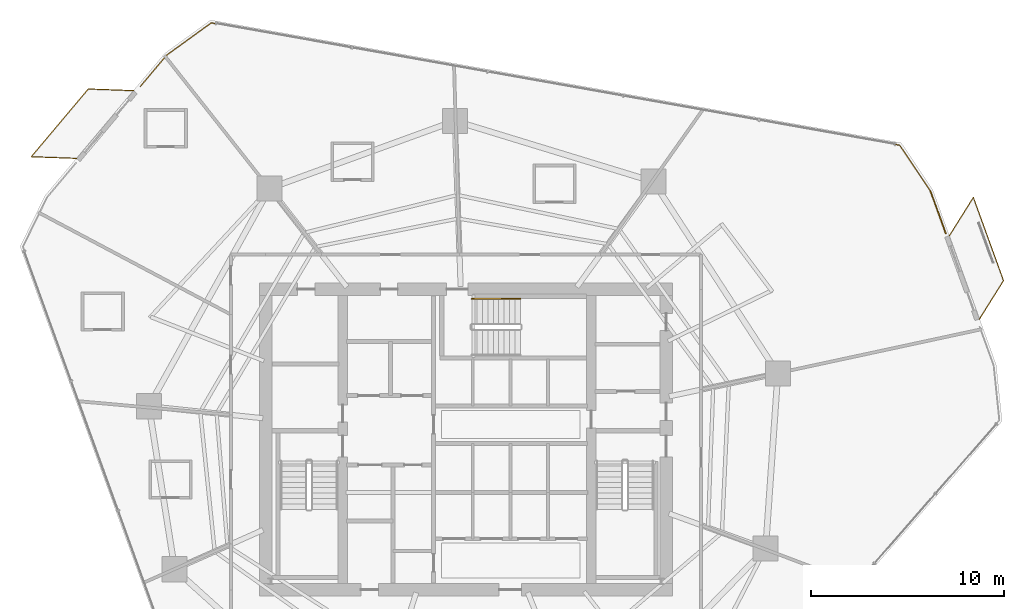
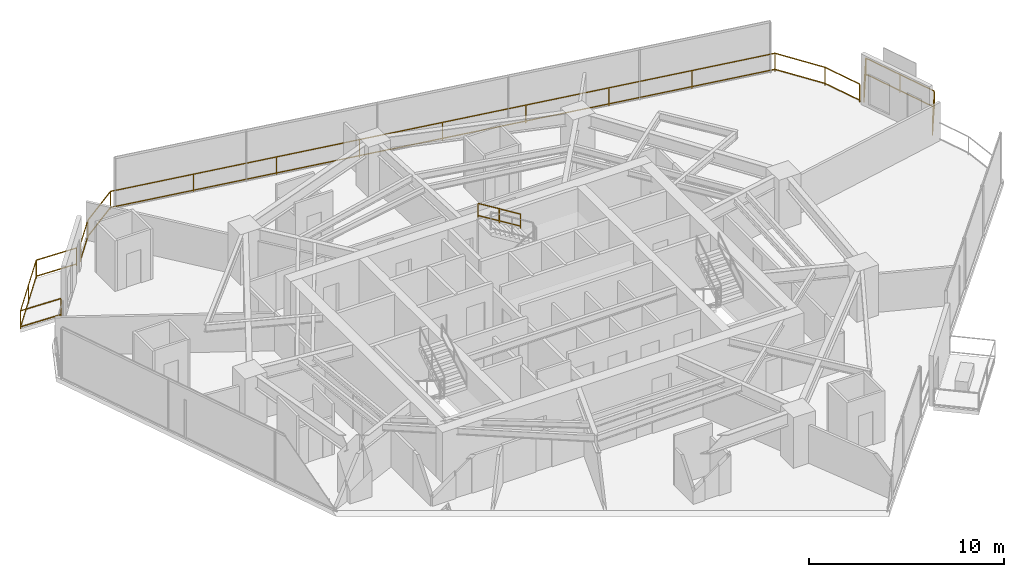
# One storey, part 33 of 33: 5 railings.
"""IFC4 building model written with IfcOpenShell, lengths in metres."""

from ifc_helpers import new_model, si_unit, direction, frame, origin, origin_2d, place, context, subcontext, project, spatial, rectangle, extrude, material, type_object, element, save


model = new_model("IFC4")

# Units and contexts
model_context = context("Model", 3, precision=1e-05, world=origin(), true_north=direction((0.0, 1.0)))
body_context = subcontext(model_context, "Body", "Model", "MODEL_VIEW")
ifc_project = project(units=[si_unit("LENGTHUNIT", "METRE"), si_unit("AREAUNIT", "SQUARE_METRE"), si_unit("VOLUMEUNIT", "CUBIC_METRE"), si_unit("PLANEANGLEUNIT", "RADIAN"), si_unit("MASSUNIT", "GRAM", prefix="KILO")], contexts=[model_context])

# Site, building, storey
site_placement = place(None, origin())
site = spatial("IfcSite", under=ifc_project, at=site_placement, CompositionType="ELEMENT")
building_placement = place(site_placement, origin())
building = spatial("IfcBuilding", under=site, at=building_placement, Name="Qarnah Convention Tower", CompositionType="ELEMENT")
storey_placement = place(building_placement, frame((0.0, 0.0, 30.449951171875)))
storey = spatial("IfcBuildingStorey", under=building, at=storey_placement, Name="L06", CompositionType="ELEMENT", Elevation=30.449951171875)

# Railings
ifc_material_1 = material(Name="Black anodised aluminium", Category="aluminium")
railing_type_1 = type_object("IfcRailingType", Name="RL-EXT-GUARD-1150", PredefinedType="GUARDRAIL", material=ifc_material_1)
railing_1_placement = place(storey_placement, frame((61.303955078125, 39.306884765625, 0.0)))
element("IfcRailing", 1, at=railing_1_placement, inside=storey, type_object=railing_type_1, Name="L06 slab-edge perimeter safety guard 01", PredefinedType="GUARDRAIL", context=body_context, shape_type="SweptSolid", body=[
    extrude(rectangle(XDim=0.048095703125, YDim=0.048095703125, at=origin_2d()), frame((0.0, 0.0, 1.1259765625), z_axis=(0.340864907499, -0.940112288419, 0.0), x_axis=(0.940112288419, 0.340864907499, 0.0)), (0.0, 0.0, 1.0), 2.34423828125),
    extrude(rectangle(XDim=0.048095703125, YDim=0.048095703125, at=origin_2d()), frame((0.0, 0.0, 0.1201171875), z_axis=(0.340864907499, -0.940112288419, 0.0), x_axis=(0.940112288419, 0.340864907499, 0.0)), (0.0, 0.0, 1.0), 2.34423828125),
    extrude(rectangle(XDim=0.0419921875, YDim=0.0419921875, at=origin_2d()), origin(), (0.0, 0.0, 1.0), 1.101806640625),
    extrude(rectangle(XDim=0.0419921875, YDim=0.0419921875, at=origin_2d()), frame((0.799072265625, -2.203857421875, 0.0)), (0.0, 0.0, 1.0), 1.101806640625),
])
railing_2_placement = place(storey_placement, frame((20.2900390625, 44.720947265625, 0.0)))
element("IfcRailing", 2, at=railing_2_placement, inside=storey, type_object=railing_type_1, Name="L06 slab-edge perimeter safety guard 03", PredefinedType="GUARDRAIL", context=body_context, shape_type="SweptSolid", body=[
    extrude(rectangle(XDim=0.048095703125, YDim=0.048095703125, at=origin_2d()), frame((0.0, 0.0, 1.1259765625), z_axis=(0.643543568342, 0.765409482333, 0.0), x_axis=(-0.765409482333, 0.643543568342, 0.0)), (0.0, 0.0, 1.0), 2.133544921875),
    extrude(rectangle(XDim=0.048095703125, YDim=0.048095703125, at=origin_2d()), frame((0.0, 0.0, 0.1201171875), z_axis=(0.643543568342, 0.765409482333, 0.0), x_axis=(-0.765409482333, 0.643543568342, 0.0)), (0.0, 0.0, 1.0), 2.133544921875),
    extrude(rectangle(XDim=0.048095703125, YDim=0.048095703125, at=origin_2d()), frame((1.373046875, 1.633056640625, 1.1259765625), z_axis=(0.809949114684, 0.586500154835, 0.0), x_axis=(-0.586500154835, 0.809949114684, 0.0)), (0.0, 0.0, 1.0), 2.859375),
    extrude(rectangle(XDim=0.048095703125, YDim=0.048095703125, at=origin_2d()), frame((1.373046875, 1.633056640625, 0.1201171875), z_axis=(0.809949114684, 0.586500154835, 0.0), x_axis=(-0.586500154835, 0.809949114684, 0.0)), (0.0, 0.0, 1.0), 2.859375),
    extrude(rectangle(XDim=0.048095703125, YDim=0.048095703125, at=origin_2d()), frame((3.68896484375, 3.31005859375, 1.1259765625), z_axis=(0.984566887264, -0.175008698362, 0.0), x_axis=(0.175008698362, 0.984566887264, 0.0)), (0.0, 0.0, 1.0), 36.2900390625),
    extrude(rectangle(XDim=0.048095703125, YDim=0.048095703125, at=origin_2d()), frame((3.68896484375, 3.31005859375, 0.1201171875), z_axis=(0.984566887264, -0.175008698362, 0.0), x_axis=(0.175008698362, 0.984566887264, 0.0)), (0.0, 0.0, 1.0), 36.2900390625),
    extrude(rectangle(XDim=0.048095703125, YDim=0.048095703125, at=origin_2d()), frame((39.4189453125, -3.041015625, 1.1259765625), z_axis=(0.557829287526, -0.829955713263, 0.0), x_axis=(0.829955713263, 0.557829287526, 0.0)), (0.0, 0.0, 1.0), 2.859130859375),
    extrude(rectangle(XDim=0.048095703125, YDim=0.048095703125, at=origin_2d()), frame((39.4189453125, -3.041015625, 0.1201171875), z_axis=(0.557829287526, -0.829955713263, 0.0), x_axis=(0.829955713263, 0.557829287526, 0.0)), (0.0, 0.0, 1.0), 2.859130859375),
    extrude(rectangle(XDim=0.0419921875, YDim=0.0419921875, at=origin_2d()), origin(), (0.0, 0.0, 1.0), 1.101806640625),
    extrude(rectangle(XDim=0.0419921875, YDim=0.0419921875, at=origin_2d()), frame((1.373046875, 1.633056640625, 0.0)), (0.0, 0.0, 1.0), 1.101806640625),
    extrude(rectangle(XDim=0.0419921875, YDim=0.0419921875, at=origin_2d()), frame((3.68896484375, 3.31005859375, 0.0)), (0.0, 0.0, 1.0), 1.101806640625),
    extrude(rectangle(XDim=0.0419921875, YDim=0.0419921875, at=origin_2d()), frame((8.1552734375, 2.51611328125, 0.0)), (0.0, 0.0, 1.0), 1.101806640625),
    extrude(rectangle(XDim=0.0419921875, YDim=0.0419921875, at=origin_2d()), frame((12.62158203125, 1.72216796875, 0.0)), (0.0, 0.0, 1.0), 1.101806640625),
    extrude(rectangle(XDim=0.0419921875, YDim=0.0419921875, at=origin_2d()), frame((17.087646484375, 0.928466796875, 0.0)), (0.0, 0.0, 1.0), 1.101806640625),
    extrude(rectangle(XDim=0.0419921875, YDim=0.0419921875, at=origin_2d()), frame((21.553955078125, 0.134521484375, 0.0)), (0.0, 0.0, 1.0), 1.101806640625),
    extrude(rectangle(XDim=0.0419921875, YDim=0.0419921875, at=origin_2d()), frame((26.020263671875, -0.659423828125, 0.0)), (0.0, 0.0, 1.0), 1.101806640625),
    extrude(rectangle(XDim=0.0419921875, YDim=0.0419921875, at=origin_2d()), frame((30.486328125, -1.453125, 0.0)), (0.0, 0.0, 1.0), 1.101806640625),
    extrude(rectangle(XDim=0.0419921875, YDim=0.0419921875, at=origin_2d()), frame((34.95263671875, -2.2470703125, 0.0)), (0.0, 0.0, 1.0), 1.101806640625),
    extrude(rectangle(XDim=0.0419921875, YDim=0.0419921875, at=origin_2d()), frame((39.4189453125, -3.041015625, 0.0)), (0.0, 0.0, 1.0), 1.101806640625),
    extrude(rectangle(XDim=0.0419921875, YDim=0.0419921875, at=origin_2d()), frame((41.013916015625, -5.4140625, 0.0)), (0.0, 0.0, 1.0), 1.101806640625),
])
railing_3_placement = place(storey_placement, frame((62.2890625, 36.985107421875, 0.0)))
element("IfcRailing", 3, at=railing_3_placement, inside=storey, type_object=railing_type_1, Name="L06 balcony safety guard BAL-L06-C1", PredefinedType="GUARDRAIL", context=body_context, shape_type="SweptSolid", body=[
    extrude(rectangle(XDim=0.048095703125, YDim=0.048095703125, at=origin_2d()), frame((0.0, 0.0, 1.1259765625), z_axis=(0.531129618002, 0.847290581136, 0.0), x_axis=(-0.847290581136, 0.531129618002, 0.0)), (0.0, 0.0, 1.0), 2.347412109375),
    extrude(rectangle(XDim=0.048095703125, YDim=0.048095703125, at=origin_2d()), frame((0.0, 0.0, 0.1201171875), z_axis=(0.531129618002, 0.847290581136, 0.0), x_axis=(-0.847290581136, 0.531129618002, 0.0)), (0.0, 0.0, 1.0), 2.347412109375),
    extrude(rectangle(XDim=0.048095703125, YDim=0.048095703125, at=origin_2d()), frame((1.246826171875, 1.989013671875, 1.1259765625), z_axis=(0.340724257604, -0.940163273203, 0.0), x_axis=(0.940163273203, 0.340724257604, 0.0)), (0.0, 0.0, 1.0), 4.599365234375),
    extrude(rectangle(XDim=0.048095703125, YDim=0.048095703125, at=origin_2d()), frame((1.246826171875, 1.989013671875, 0.1201171875), z_axis=(0.340724257604, -0.940163273203, 0.0), x_axis=(0.940163273203, 0.340724257604, 0.0)), (0.0, 0.0, 1.0), 4.599365234375),
    extrude(rectangle(XDim=0.048095703125, YDim=0.048095703125, at=origin_2d()), frame((2.81396484375, -2.335205078125, 1.1259765625), z_axis=(-0.530718437054, -0.847548193657, 0.0), x_axis=(0.847548193657, -0.530718437054, 0.0)), (0.0, 0.0, 1.0), 2.347900390625),
    extrude(rectangle(XDim=0.048095703125, YDim=0.048095703125, at=origin_2d()), frame((2.81396484375, -2.335205078125, 0.1201171875), z_axis=(-0.530718437054, -0.847548193657, 0.0), x_axis=(0.847548193657, -0.530718437054, 0.0)), (0.0, 0.0, 1.0), 2.347900390625),
    extrude(rectangle(XDim=0.0419921875, YDim=0.0419921875, at=origin_2d()), origin(), (0.0, 0.0, 1.0), 1.101806640625),
    extrude(rectangle(XDim=0.0419921875, YDim=0.0419921875, at=origin_2d()), frame((1.246826171875, 1.989013671875, 0.0)), (0.0, 0.0, 1.0), 1.101806640625),
    extrude(rectangle(XDim=0.0419921875, YDim=0.0419921875, at=origin_2d()), frame((2.0302734375, -0.173095703125, 0.0)), (0.0, 0.0, 1.0), 1.101806640625),
    extrude(rectangle(XDim=0.0419921875, YDim=0.0419921875, at=origin_2d()), frame((2.81396484375, -2.335205078125, 0.0)), (0.0, 0.0, 1.0), 1.101806640625),
    extrude(rectangle(XDim=0.0419921875, YDim=0.0419921875, at=origin_2d()), frame((1.56787109375, -4.3251953125, 0.0)), (0.0, 0.0, 1.0), 1.101806640625),
])
railing_4_placement = place(storey_placement, frame((16.97705078125, 40.993896484375, 0.0)))
element("IfcRailing", 4, at=railing_4_placement, inside=storey, type_object=railing_type_1, Name="L06 balcony safety guard BAL-L06-C2", PredefinedType="GUARDRAIL", context=body_context, shape_type="SweptSolid", body=[
    extrude(rectangle(XDim=0.048095703125, YDim=0.048095703125, at=origin_2d()), frame((0.0, 0.0, 1.1259765625), z_axis=(-0.99934107641, 0.036296184376, 0.0), x_axis=(-0.036296184376, -0.99934107641, 0.0)), (0.0, 0.0, 1.0), 2.347412109375),
    extrude(rectangle(XDim=0.048095703125, YDim=0.048095703125, at=origin_2d()), frame((0.0, 0.0, 0.1201171875), z_axis=(-0.99934107641, 0.036296184376, 0.0), x_axis=(-0.036296184376, -0.99934107641, 0.0)), (0.0, 0.0, 1.0), 2.347412109375),
    extrude(rectangle(XDim=0.048095703125, YDim=0.048095703125, at=origin_2d()), frame((-2.345947265625, 0.085205078125, 1.1259765625), z_axis=(0.6438415355, 0.765158857471, 0.0), x_axis=(-0.765158857471, 0.6438415355, 0.0)), (0.0, 0.0, 1.0), 4.600341796875),
    extrude(rectangle(XDim=0.048095703125, YDim=0.048095703125, at=origin_2d()), frame((-2.345947265625, 0.085205078125, 0.1201171875), z_axis=(0.6438415355, 0.765158857471, 0.0), x_axis=(-0.765158857471, 0.6438415355, 0.0)), (0.0, 0.0, 1.0), 4.600341796875),
    extrude(rectangle(XDim=0.048095703125, YDim=0.048095703125, at=origin_2d()), frame((0.615966796875, 3.605224609375, 1.1259765625), z_axis=(0.99934107641, -0.036296184376, 0.0), x_axis=(0.036296184376, 0.99934107641, 0.0)), (0.0, 0.0, 1.0), 2.347412109375),
    extrude(rectangle(XDim=0.048095703125, YDim=0.048095703125, at=origin_2d()), frame((0.615966796875, 3.605224609375, 0.1201171875), z_axis=(0.99934107641, -0.036296184376, 0.0), x_axis=(0.036296184376, 0.99934107641, 0.0)), (0.0, 0.0, 1.0), 2.347412109375),
    extrude(rectangle(XDim=0.0419921875, YDim=0.0419921875, at=origin_2d()), origin(), (0.0, 0.0, 1.0), 1.101806640625),
    extrude(rectangle(XDim=0.0419921875, YDim=0.0419921875, at=origin_2d()), frame((-2.345947265625, 0.085205078125, 0.0)), (0.0, 0.0, 1.0), 1.101806640625),
    extrude(rectangle(XDim=0.0419921875, YDim=0.0419921875, at=origin_2d()), frame((-0.864990234375, 1.84521484375, 0.0)), (0.0, 0.0, 1.0), 1.101806640625),
    extrude(rectangle(XDim=0.0419921875, YDim=0.0419921875, at=origin_2d()), frame((0.615966796875, 3.605224609375, 0.0)), (0.0, 0.0, 1.0), 1.101806640625),
    extrude(rectangle(XDim=0.0419921875, YDim=0.0419921875, at=origin_2d()), frame((2.9619140625, 3.52001953125, 0.0)), (0.0, 0.0, 1.0), 1.101806640625),
])
ifc_material_2 = material(Name="Structural steel S355JR", Category="steel")
railing_type_2 = type_object("IfcRailingType", Name="RL-STAIR-HAND-900", PredefinedType="HANDRAIL", material=ifc_material_2)
railing_5_placement = place(storey_placement, frame((40.02001953125, 33.699951171875, 1.8974609375)))
element("IfcRailing", 5, at=railing_5_placement, inside=storey, type_object=railing_type_2, Name="L06 ST-3 stair handrail 2", PredefinedType="HANDRAIL", context=body_context, shape_type="SweptSolid", body=[
    extrude(rectangle(XDim=0.048095703125, YDim=0.048095703125, at=origin_2d()), frame((0.0, 0.0, 0.8759765625), z_axis=(-0.851400495292, 0.0, 0.524516154772), x_axis=(0.0, -1.0, 0.0)), (0.0, 0.0, 1.0), 2.9599609375),
    extrude(rectangle(XDim=0.048095703125, YDim=0.048095703125, at=origin_2d()), frame((0.0, 0.0, 0.1201171875), z_axis=(-0.851400495292, 0.0, 0.524516154772), x_axis=(0.0, -1.0, 0.0)), (0.0, 0.0, 1.0), 2.9599609375),
    extrude(rectangle(XDim=0.0419921875, YDim=0.0419921875, at=origin_2d()), origin(), (0.0, 0.0, 1.0), 0.851806640625),
    extrude(rectangle(XDim=0.0419921875, YDim=0.0419921875, at=origin_2d()), frame((-1.260009765625, 0.0, 0.7763671875)), (0.0, 0.0, 1.0), 0.851806640625),
    extrude(rectangle(XDim=0.0419921875, YDim=0.0419921875, at=origin_2d()), frame((-2.52001953125, 0.0, 1.552490234375)), (0.0, 0.0, 1.0), 0.851806640625),
])

save(model, "model.ifc")
